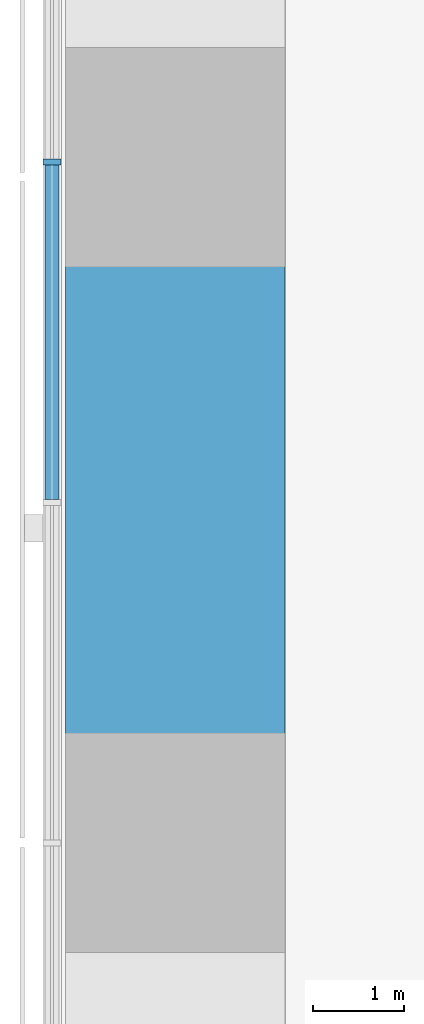
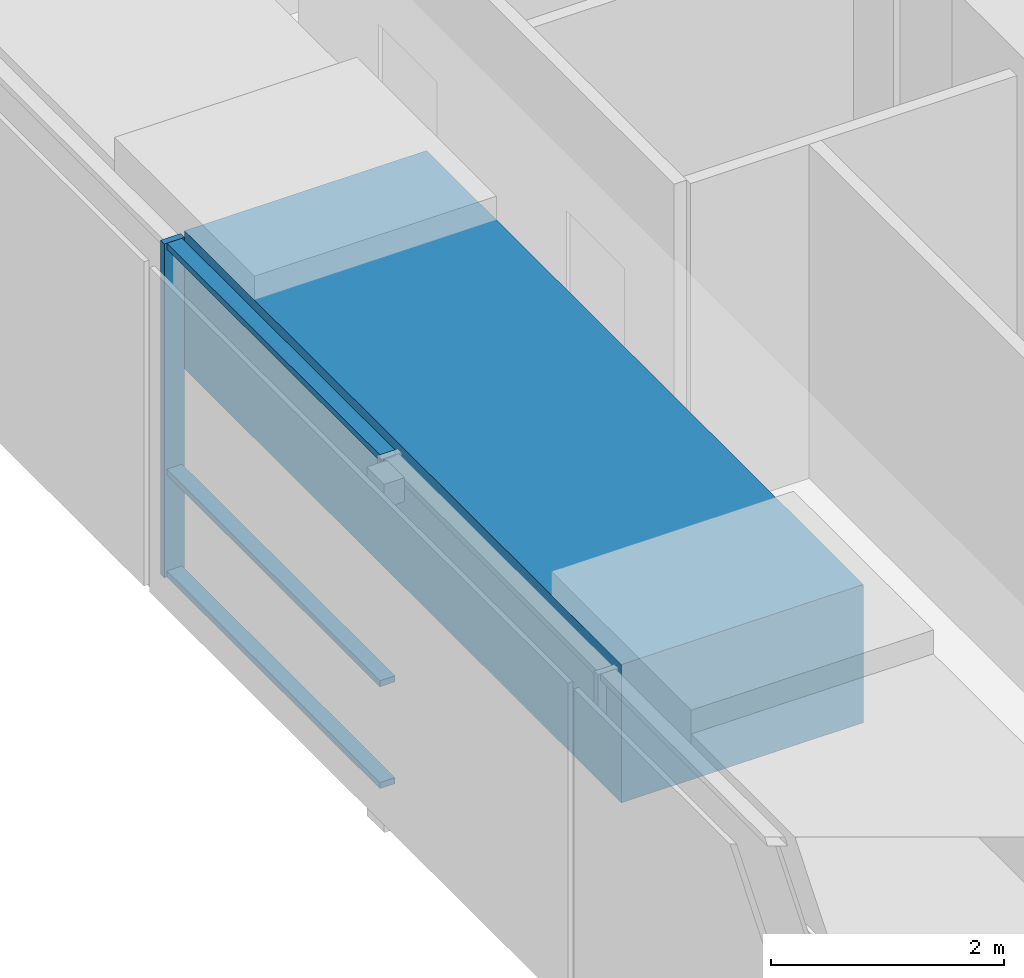
# One storey, part 3 of 19: 4 members, 1 beam, 1 element without a shape of its own.
"""IFC4 building model written with IfcOpenShell, lengths in metres."""

import ifcopenshell
import ifcopenshell.guid

model = None  # the IFC model being written
_history = None  # IfcOwnerHistory: only IFC2X3 demands one
_inside = {}  # id of a spatial element -> (the spatial element, [elements in it])
_under = {}  # id of a project, library or spatial element -> (it, [spatial elements below it])
_declared = {}  # id of a project -> (the project, [libraries it declares])
_typed = {}  # id of a type object -> (the type object, [elements of that type])
_made_of = {}  # id of a material, layer set ... -> (it, [elements and type objects made of it])


def new_model(schema):
    """Start an empty IFC model of exactly this schema.

    Asked for "IFC4X3", IfcOpenShell would pick the latest addendum, in which some entities
    have other attributes; the version numbers below select the first issue.
    IFC2X3 requires an IfcOwnerHistory on every rooted entity: one is made here for all.
    """
    global model, _history
    if schema == "IFC4X3":
        model = ifcopenshell.file(schema_version=(4, 3, 0, 0))
    else:
        model = ifcopenshell.file(schema=schema)
    _inside.clear()
    _under.clear()
    _declared.clear()
    _typed.clear()
    _made_of.clear()
    _history = None
    if model.schema == "IFC2X3":
        org = make("IfcOrganization", Name="unknown")
        user = make(
            "IfcPersonAndOrganization",
            ThePerson=make("IfcPerson", FamilyName="unknown"),
            TheOrganization=org,
        )
        app = make(
            "IfcApplication",
            ApplicationDeveloper=org,
            Version="unknown",
            ApplicationFullName="unknown",
            ApplicationIdentifier="unknown",
        )
        _history = make(
            "IfcOwnerHistory",
            OwningUser=user,
            OwningApplication=app,
            ChangeAction="ADDED",
            CreationDate=0,
        )
    return model


def make(cls, **values):
    """One entity of the class cls with the attributes given. An attribute that is None is left unset."""
    return model.create_entity(
        cls, **{name: value for name, value in values.items() if value is not None}
    )


def rooted(cls, **values):
    """An entity with a GlobalId (a new one), such as an element, a storey or a relation."""
    return make(cls, GlobalId=ifcopenshell.guid.new(), OwnerHistory=_history, **values)


def si_unit(unit_type, name, prefix=None):
    """IfcSIUnit, for example si_unit("LENGTHUNIT", "METRE", prefix="MILLI")."""
    return make("IfcSIUnit", UnitType=unit_type, Prefix=prefix, Name=name)


def assignment(units):
    """IfcUnitAssignment: the units of a project."""
    return None if units is None else make("IfcUnitAssignment", Units=units)


def point(xyz):
    """IfcCartesianPoint."""
    return None if xyz is None else make("IfcCartesianPoint", Coordinates=xyz)


def direction(xyz):
    """IfcDirection."""
    return None if xyz is None else make("IfcDirection", DirectionRatios=xyz)


def frame(location, z_axis=None, x_axis=None):
    """IfcAxis2Placement3D, a coordinate frame: its origin and axes. An axis left out is left unset."""
    return make(
        "IfcAxis2Placement3D",
        Location=point(location),
        Axis=direction(z_axis),
        RefDirection=direction(x_axis),
    )


def frame_2d(location, x_axis=None):
    """IfcAxis2Placement2D, a coordinate frame in the plane: its origin and x axis."""
    return make(
        "IfcAxis2Placement2D", Location=point(location), RefDirection=direction(x_axis)
    )


def origin():
    """The frame at (0, 0, 0) with its axes left unset."""
    return frame((0.0, 0.0, 0.0))


def origin_2d():
    """The frame at (0, 0) in the plane with its x axis left unset."""
    return frame_2d((0.0, 0.0))


def place(relative_to, where):
    """IfcLocalPlacement: puts the frame where relative to a parent placement (None: the world)."""
    return make(
        "IfcLocalPlacement", PlacementRelTo=relative_to, RelativePlacement=where
    )


def context(
    kind, dimensions, precision=None, world=None, true_north=None, identifier=None
):
    """IfcGeometricRepresentationContext, for example the 3D "Model" context."""
    return make(
        "IfcGeometricRepresentationContext",
        ContextIdentifier=identifier,
        ContextType=kind,
        CoordinateSpaceDimension=dimensions,
        Precision=precision,
        WorldCoordinateSystem=world,
        TrueNorth=true_north,
    )


def subcontext(parent, identifier, kind, view, scale=None):
    """IfcGeometricRepresentationSubContext, for example "Body" below "Model"."""
    return make(
        "IfcGeometricRepresentationSubContext",
        ContextIdentifier=identifier,
        ContextType=kind,
        ParentContext=parent,
        TargetScale=scale,
        TargetView=view,
    )


def project(units=None, contexts=None):
    """IfcProject with its units and contexts."""
    return rooted(
        "IfcProject",
        Name="project",
        RepresentationContexts=contexts,
        UnitsInContext=assignment(units),
    )


def spatial(cls, under=None, at=None, **own):
    """A site, building, storey or space (cls), placed at a placement, below another one or the project."""
    s = rooted(cls, ObjectPlacement=at, **own)
    if under is not None:
        _under.setdefault(under.id(), (under, []))[1].append(s)
    return s


def profile(cls, at=None, kind="AREA", **sizes):
    """A parametric profile (cls). Its sizes go by their IFC names, for example OverallWidth=200.0."""
    return make(cls, ProfileType=kind, Position=at, **sizes)


def rectangle(**sizes):
    """IfcRectangleProfileDef."""
    return profile("IfcRectangleProfileDef", **sizes)


def extrude(swept, where, along, depth):
    """IfcExtrudedAreaSolid: the profile swept, set in the frame where, extruded along a direction by depth."""
    return make(
        "IfcExtrudedAreaSolid",
        SweptArea=swept,
        Position=where,
        ExtrudedDirection=direction(along),
        Depth=depth,
    )


def shape(context_of_items, identifier, shape_type, items):
    """IfcShapeRepresentation: the items that make up one representation, for example the "Body"."""
    return make(
        "IfcShapeRepresentation",
        ContextOfItems=context_of_items,
        RepresentationIdentifier=identifier,
        RepresentationType=shape_type,
        Items=items,
    )


def material(Name=None, Category=None):
    """IfcMaterial."""
    return make("IfcMaterial", Name=Name, Category=Category)


def material_profile(
    of_material, cross_section, Name=None, Category=None, Priority=None
):
    """IfcMaterialProfile: a cross section and its material."""
    return make(
        "IfcMaterialProfile",
        Name=Name,
        Material=of_material,
        Profile=cross_section,
        Priority=Priority,
        Category=Category,
    )


def profile_set(profiles, Name=None, composite=None):
    """IfcMaterialProfileSet."""
    return make(
        "IfcMaterialProfileSet",
        Name=Name,
        MaterialProfiles=profiles,
        CompositeProfile=composite,
    )


def made_of(thing, what):
    """Note that an element or type object is made of a material, layer set ...; save() writes the relation."""
    if what is not None:
        _made_of.setdefault(what.id(), (what, []))[1].append(thing)
    return thing


def type_object(cls, material=None, **own):
    """A type object (cls), such as IfcWallType, which elements share."""
    return made_of(rooted(cls, **own), material)


def element(
    cls,
    number,
    at=None,
    inside=None,
    cuts=None,
    type_object=None,
    material=None,
    context=None,
    identifier="Body",
    shape_type=None,
    held_by="IfcProductDefinitionShape",
    body=None,
    shapes=None,
    **own,
):
    """One element of the class cls, such as IfcWall. Its Tag is "e" and its number.

    at: its placement. inside: the storey or other place that contains it. cuts: it is an
    opening in that element (IfcRelVoidsElement). A single representation is given by context,
    identifier, shape_type and body (its items); several are given by shapes. held_by: the class
    of the entity that holds the representations. save() writes the other relations.
    """
    e = rooted(cls, Tag="e%d" % number, ObjectPlacement=at, **own)
    if body is not None:
        shapes = [shape(context, identifier, shape_type, body)]
    if shapes is not None:
        e.Representation = make(held_by, Representations=shapes)
    if inside is not None:
        _inside.setdefault(inside.id(), (inside, []))[1].append(e)
    if cuts is not None:
        rooted(
            "IfcRelVoidsElement", RelatingBuildingElement=cuts, RelatedOpeningElement=e
        )
    if type_object is not None:
        _typed.setdefault(type_object.id(), (type_object, []))[1].append(e)
    return made_of(e, material)


def aggregate(whole, parts):
    """IfcRelAggregates: a whole, such as a stair, and the parts it consists of."""
    return rooted("IfcRelAggregates", RelatingObject=whole, RelatedObjects=parts)


def save(model, path):
    """Write the relations noted so far, then the file.

    IfcRelAggregates (storeys below a building ...), IfcRelContainedInSpatialStructure (elements
    in a storey), IfcRelDefinesByType, IfcRelAssociatesMaterial and IfcRelDeclares: one each for
    every whole, place, type object, material and project.
    """
    for whole, parts in _under.values():
        aggregate(whole, parts)
    for where, things in _inside.values():
        rooted(
            "IfcRelContainedInSpatialStructure",
            RelatedElements=things,
            RelatingStructure=where,
        )
    for kind, things in _typed.values():
        rooted("IfcRelDefinesByType", RelatedObjects=things, RelatingType=kind)
    for what, things in _made_of.values():
        rooted("IfcRelAssociatesMaterial", RelatedObjects=things, RelatingMaterial=what)
    for by, libraries in _declared.values():
        rooted("IfcRelDeclares", RelatingContext=by, RelatedDefinitions=libraries)
    model.write(path)


model = new_model("IFC4")

# Units and contexts
model_context = context("Model", 3, precision=1e-05, world=origin(), true_north=direction((0.0, 1.0)))
body_context = subcontext(model_context, "Body", "Model", "MODEL_VIEW")
ifc_project = project(units=[si_unit("LENGTHUNIT", "METRE"), si_unit("AREAUNIT", "SQUARE_METRE"), si_unit("VOLUMEUNIT", "CUBIC_METRE"), si_unit("PLANEANGLEUNIT", "RADIAN"), si_unit("MASSUNIT", "GRAM", prefix="KILO")], contexts=[model_context])

# Site, building, storey
site_placement = place(None, origin())
site = spatial("IfcSite", under=ifc_project, at=site_placement, CompositionType="ELEMENT")
building_placement = place(site_placement, origin())
building = spatial("IfcBuilding", under=site, at=building_placement, Name="Sheger Commons Tower", CompositionType="ELEMENT")
storey_placement = place(building_placement, frame((0.0, 0.0, 216.199951171875)))
storey = spatial("IfcBuildingStorey", under=building, at=storey_placement, Name="L55", CompositionType="ELEMENT", Elevation=216.199951171875)

# Curtain wall, member
ifc_material_1 = material(Name="Black aluminium curtain wall, dark tinted glazing", Category="aluminium")
curtain_wall_type = type_object("IfcCurtainWallType", Name="CURTAIN WALL CW4 GALLERY", PredefinedType="USERDEFINED", material=ifc_material_1)
curtain_wall_placement = place(storey_placement, origin())
curtain_wall = element("IfcCurtainWall", 1, at=curtain_wall_placement, inside=storey, type_object=curtain_wall_type, Name="Curtain Wall Cw4 Gallery W1 L55", ObjectType="UNITISED CURTAIN WALL", PredefinedType="USERDEFINED")
ifc_material_2 = material(Name="Black anodised aluminium", Category="aluminium")
ifc_material_profile_1 = material_profile(ifc_material_2, rectangle(XDim=0.199951171875, YDim=0.06494140625, at=origin_2d()), Name="AL 65x200")
ifc_profile_set_1 = profile_set([ifc_material_profile_1], Name="Black anodised aluminium")
member_type_1 = type_object("IfcMemberType", Name="MULLION AL 65x200", PredefinedType="MULLION", material=ifc_profile_set_1)
member_1_placement = place(storey_placement, frame((6.449951171875, 29.946044921875, 0.0), z_axis=(0.0, 0.0, 1.0), x_axis=(1.0, 0.0, 0.0)))
member_1 = element("IfcMember", 2, at=member_1_placement, type_object=member_type_1, Name="CW4 mullion 9", PredefinedType="MULLION", context=body_context, shape_type="SweptSolid", body=[
    extrude(rectangle(XDim=0.199951171875, YDim=0.06494140625, at=origin_2d()), origin(), (0.0, 0.0, 1.0), 3.5),
])

# Beam
ifc_material_3 = material(Name="Concrete C50/60", Category="concrete")
ifc_material_profile_2 = material_profile(ifc_material_3, rectangle(XDim=2.39990234375, YDim=1.449951171875, at=origin_2d()), Name="RC 2400x1450")
ifc_profile_set_2 = profile_set([ifc_material_profile_2], Name="Concrete C50/60")
beam_type = type_object("IfcBeamType", Name="SPANDREL RC 2400x1450", PredefinedType="SPANDREL", material=ifc_profile_set_2)
beam_placement = place(storey_placement, frame((7.800048828125, 30.0, 2.775146484375), z_axis=(0.0, -1.0, 0.0), x_axis=(1.0, 0.0, 0.0)))
element("IfcBeam", 3, at=beam_placement, inside=storey, type_object=beam_type, Name="Beam 2/E-2/D under L56", PredefinedType="SPANDREL", context=body_context, shape_type="SweptSolid", body=[
    extrude(rectangle(XDim=2.39990234375, YDim=1.449951171875, at=origin_2d()), origin(), (0.0, 0.0, 1.0), 7.5),
])

# Member
ifc_material_4 = material(Name="Black anodised aluminium", Category="aluminium")
ifc_material_profile_3 = material_profile(ifc_material_4, rectangle(XDim=0.14990234375, YDim=0.06494140625, at=origin_2d()), Name="AL 65x150")
ifc_profile_set_3 = profile_set([ifc_material_profile_3], Name="Black anodised aluminium")
member_type_2 = type_object("IfcMemberType", Name="TRANSOM AL 65x150", PredefinedType="USERDEFINED", material=ifc_profile_set_3)
member_2_placement = place(storey_placement, frame((6.449951171875, 29.91357421875, 0.032470703125), z_axis=(0.0, -1.0, 0.0), x_axis=(1.0, 0.0, 0.0)))
member_2 = element("IfcMember", 4, at=member_2_placement, type_object=member_type_2, Name="CW4 transom 9.1", ObjectType="TRANSOM", PredefinedType="USERDEFINED", context=body_context, shape_type="SweptSolid", body=[
    extrude(rectangle(XDim=0.14990234375, YDim=0.06494140625, at=origin_2d()), origin(), (0.0, 0.0, 1.0), 3.657958984375),
])

member_3_placement = place(storey_placement, frame((6.449951171875, 29.91357421875, 1.10009765625), z_axis=(0.0, -1.0, 0.0), x_axis=(1.0, 0.0, 0.0)))
member_3 = element("IfcMember", 5, at=member_3_placement, type_object=member_type_2, Name="CW4 transom 9.2", ObjectType="TRANSOM", PredefinedType="USERDEFINED", context=body_context, shape_type="SweptSolid", body=[
    extrude(rectangle(XDim=0.14990234375, YDim=0.06494140625, at=origin_2d()), origin(), (0.0, 0.0, 1.0), 3.657958984375),
])

member_4_placement = place(storey_placement, frame((6.449951171875, 29.91357421875, 3.467529296875), z_axis=(0.0, -1.0, 0.0), x_axis=(1.0, 0.0, 0.0)))
member_4 = element("IfcMember", 6, at=member_4_placement, type_object=member_type_2, Name="CW4 transom 9.3", ObjectType="TRANSOM", PredefinedType="USERDEFINED", context=body_context, shape_type="SweptSolid", body=[
    extrude(rectangle(XDim=0.14990234375, YDim=0.06494140625, at=origin_2d()), origin(), (0.0, 0.0, 1.0), 3.657958984375),
])

aggregate(curtain_wall, [member_1, member_2, member_3, member_4])

save(model, "model.ifc")
